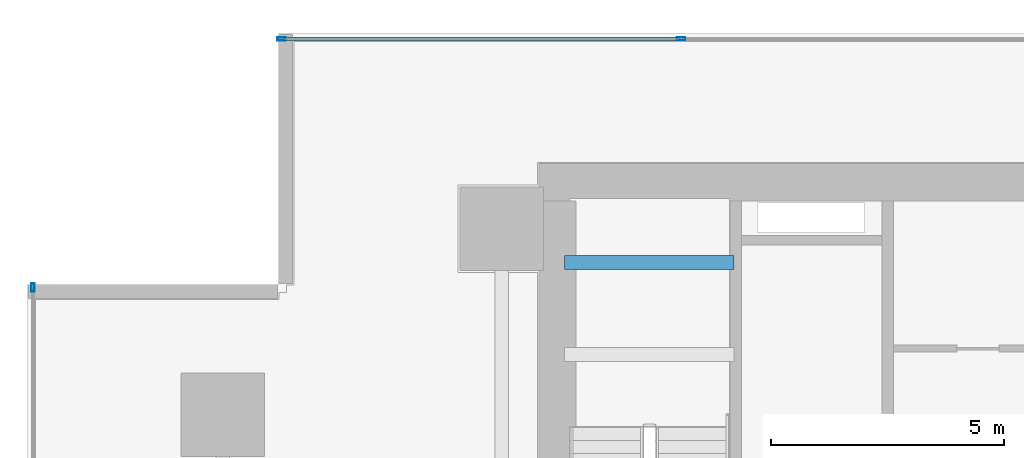
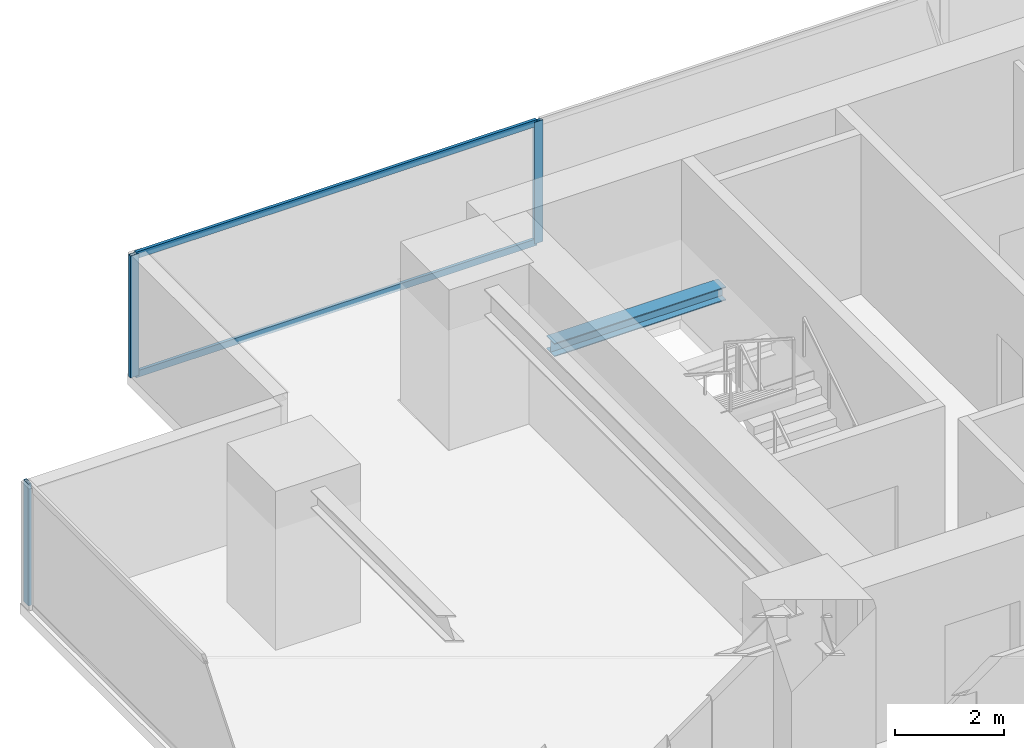
# One storey, part 18 of 33: 5 members, 1 beam, 2 elements without a shape of their own.
"""IFC4 building model written with IfcOpenShell, lengths in metres."""

from ifc_helpers import new_model, si_unit, direction, frame, origin, origin_2d, place, context, subcontext, project, spatial, hollow_rectangle, i_section, extrude, source, transform, mapped, material, layer, layer_set, material_profile, profile_set, type_object, element, aggregate, save


model = new_model("IFC4")

# Units and contexts
model_context = context("Model", 3, precision=1e-05, world=origin(), true_north=direction((0.0, 1.0)))
body_context = subcontext(model_context, "Body", "Model", "MODEL_VIEW")
ifc_project = project(units=[si_unit("LENGTHUNIT", "METRE"), si_unit("AREAUNIT", "SQUARE_METRE"), si_unit("VOLUMEUNIT", "CUBIC_METRE"), si_unit("PLANEANGLEUNIT", "RADIAN"), si_unit("MASSUNIT", "GRAM", prefix="KILO")], contexts=[model_context])

# Site, building, storey
site_placement = place(None, origin())
site = spatial("IfcSite", under=ifc_project, at=site_placement, CompositionType="ELEMENT")
building_placement = place(site_placement, origin())
building = spatial("IfcBuilding", under=site, at=building_placement, Name="Sumidabori Civic Tower", CompositionType="ELEMENT")
storey_placement = place(building_placement, frame((0.0, 0.0, 30.800048828125)))
storey = spatial("IfcBuildingStorey", under=building, at=storey_placement, Name="L07", CompositionType="ELEMENT", Elevation=30.800048828125)

# Beam
ifc_material_1 = material(Name="Steel SN490", Category="steel")
ifc_material_profile_1 = material_profile(ifc_material_1, i_section(OverallWidth=0.300048828125, OverallDepth=0.300048828125, WebThickness=0.010986328125, FlangeThickness=0.01904296875, at=origin_2d()), Name="HE 300 B")
ifc_profile_set_1 = profile_set([ifc_material_profile_1], Name="Steel SN490")
beam_type = type_object("IfcBeamType", Name="BM-LDG-300", PredefinedType="BEAM", material=ifc_profile_set_1)
shared_shape_1 = source(origin(), body_context, "Body", "SweptSolid", [
    extrude(i_section(OverallWidth=0.300048828125, OverallDepth=0.300048828125, WebThickness=0.010986328125, FlangeThickness=0.01904296875, at=origin_2d()), origin(), (0.0, 0.0, 1.0), 3.64990234375),
])
beam_placement = place(storey_placement, frame((-15.449951171875, 22.069580078125, 1.449951171875), z_axis=(1.0, 0.0, 0.0), x_axis=(0.0, 1.0, 0.0)))
element("IfcBeam", 1, at=beam_placement, inside=storey, type_object=beam_type, Name="Stair ST-1 Landing Trimmer Beam L07-1B", PredefinedType="BEAM", context=body_context, shape_type="MappedRepresentation", body=[
    mapped(shared_shape_1, transform((0.0, 0.0, 0.0), x_axis=(1.0, 0.0, 0.0), y_axis=(0.0, 1.0, 0.0), z_axis=(0.0, 0.0, 1.0), scale=1.0)),
])

# Curtain wall, members
ifc_material_2 = material(Name="Anodised Bronze Aluminium AW-6063-T6", Category="aluminium")
ifc_layer = layer(ifc_material_2, 0.179931640625, Name="Anodised Bronze Aluminium AW-6063-T6")
ifc_layer_set = layer_set([ifc_layer], Name="Anodised Bronze Aluminium AW-6063-T6")
curtain_wall_type = type_object("IfcCurtainWallType", Name="CW-SYS-2", PredefinedType="NOTDEFINED", material=ifc_layer_set)
curtain_wall_1_placement = place(storey_placement, origin())
curtain_wall_1 = element("IfcCurtainWall", 2, at=curtain_wall_1_placement, inside=storey, type_object=curtain_wall_type, Name="Curtain Wall CW:L07:R07", PredefinedType="NOTDEFINED")
ifc_material_profile_2 = material_profile(ifc_material_2, hollow_rectangle(XDim=0.070068359375, YDim=0.179931640625, WallThickness=0.006103515625, at=origin_2d()), Name="ALU MULLION 180x70")
ifc_profile_set_2 = profile_set([ifc_material_profile_2], Name="Anodised Bronze Aluminium AW-6063-T6")
member_type_1 = type_object("IfcMemberType", Name="CW-MUL-180", PredefinedType="MULLION", material=ifc_profile_set_2)
shared_shape_2 = source(origin(), body_context, "Body", "SweptSolid", [
    extrude(hollow_rectangle(XDim=0.070068359375, YDim=0.179931640625, WallThickness=0.006103515625, at=origin_2d()), origin(), (0.0, 0.0, 1.0), 2.739990234375),
])
member_1_placement = place(storey_placement, frame((-12.94189453125, 26.8798828125, 0.0), z_axis=(0.0, 0.0, 1.0), x_axis=(0.0, -1.0, 0.0)))
member_1 = element("IfcMember", 3, at=member_1_placement, type_object=member_type_1, Name="CW-2 mullion 5", PredefinedType="MULLION", context=body_context, shape_type="MappedRepresentation", body=[
    mapped(shared_shape_2, transform((0.0, 0.0, 0.0), x_axis=(1.0, 0.0, 0.0), y_axis=(0.0, 1.0, 0.0), z_axis=(0.0, 0.0, 1.0), scale=1.0)),
])
member_2_placement = place(storey_placement, frame((-21.534912109375, 26.8798828125, 0.0), z_axis=(0.0, 0.0, 1.0), x_axis=(0.0, -1.0, 0.0)))
member_2 = element("IfcMember", 4, at=member_2_placement, type_object=member_type_1, Name="CW-2 mullion 6", PredefinedType="MULLION", context=body_context, shape_type="MappedRepresentation", body=[
    mapped(shared_shape_2, transform((0.0, 0.0, 0.0), x_axis=(1.0, 0.0, 0.0), y_axis=(0.0, 1.0, 0.0), z_axis=(0.0, 0.0, 1.0), scale=1.0)),
])

# Curtain wall, member
curtain_wall_2_placement = place(storey_placement, origin())
curtain_wall_2 = element("IfcCurtainWall", 5, at=curtain_wall_2_placement, inside=storey, type_object=curtain_wall_type, Name="Curtain Wall CW:L07:R10", PredefinedType="NOTDEFINED")
member_3_placement = place(storey_placement, frame((-26.8798828125, 21.534912109375, 0.0), z_axis=(0.0, 0.0, 1.0), x_axis=(1.0, 0.0, 0.0)))
member_3 = element("IfcMember", 6, at=member_3_placement, type_object=member_type_1, Name="CW-2 mullion 1", PredefinedType="MULLION", context=body_context, shape_type="MappedRepresentation", body=[
    mapped(shared_shape_2, transform((0.0, 0.0, 0.0), x_axis=(1.0, 0.0, 0.0), y_axis=(0.0, 1.0, 0.0), z_axis=(0.0, 0.0, 1.0), scale=1.0)),
])
aggregate(curtain_wall_2, [member_3])

# Member
ifc_material_profile_3 = material_profile(ifc_material_2, hollow_rectangle(XDim=0.06494140625, YDim=0.14990234375, WallThickness=0.0048828125, at=origin_2d()), Name="ALU TRANSOM 150x65")
ifc_profile_set_3 = profile_set([ifc_material_profile_3], Name="Anodised Bronze Aluminium AW-6063-T6")
member_type_2 = type_object("IfcMemberType", Name="CW-TRN-150", PredefinedType="USERDEFINED", material=ifc_profile_set_3)
shared_shape_3 = source(origin(), body_context, "Body", "SweptSolid", [
    extrude(hollow_rectangle(XDim=0.06494140625, YDim=0.14990234375, WallThickness=0.0048828125, at=origin_2d()), origin(), (0.0, 0.0, 1.0), 8.52294921875),
])
member_4_placement = place(storey_placement, frame((-12.97705078125, 26.8798828125, 0.032470703125), z_axis=(-1.0, 0.0, 0.0), x_axis=(0.0, -1.0, 0.0)))
member_4 = element("IfcMember", 7, at=member_4_placement, type_object=member_type_2, Name="CW-2 transom 5.1", ObjectType="TRANSOM", PredefinedType="USERDEFINED", context=body_context, shape_type="MappedRepresentation", body=[
    mapped(shared_shape_3, transform((0.0, 0.0, 0.0), x_axis=(1.0, 0.0, 0.0), y_axis=(0.0, 1.0, 0.0), z_axis=(0.0, 0.0, 1.0), scale=1.0)),
])

member_5_placement = place(storey_placement, frame((-12.97705078125, 26.8798828125, 2.70751953125), z_axis=(-1.0, 0.0, 0.0), x_axis=(0.0, -1.0, 0.0)))
member_5 = element("IfcMember", 8, at=member_5_placement, type_object=member_type_2, Name="CW-2 transom 5.2", ObjectType="TRANSOM", PredefinedType="USERDEFINED", context=body_context, shape_type="MappedRepresentation", body=[
    mapped(shared_shape_3, transform((0.0, 0.0, 0.0), x_axis=(1.0, 0.0, 0.0), y_axis=(0.0, 1.0, 0.0), z_axis=(0.0, 0.0, 1.0), scale=1.0)),
])

aggregate(curtain_wall_1, [member_1, member_2, member_4, member_5])

save(model, "model.ifc")
